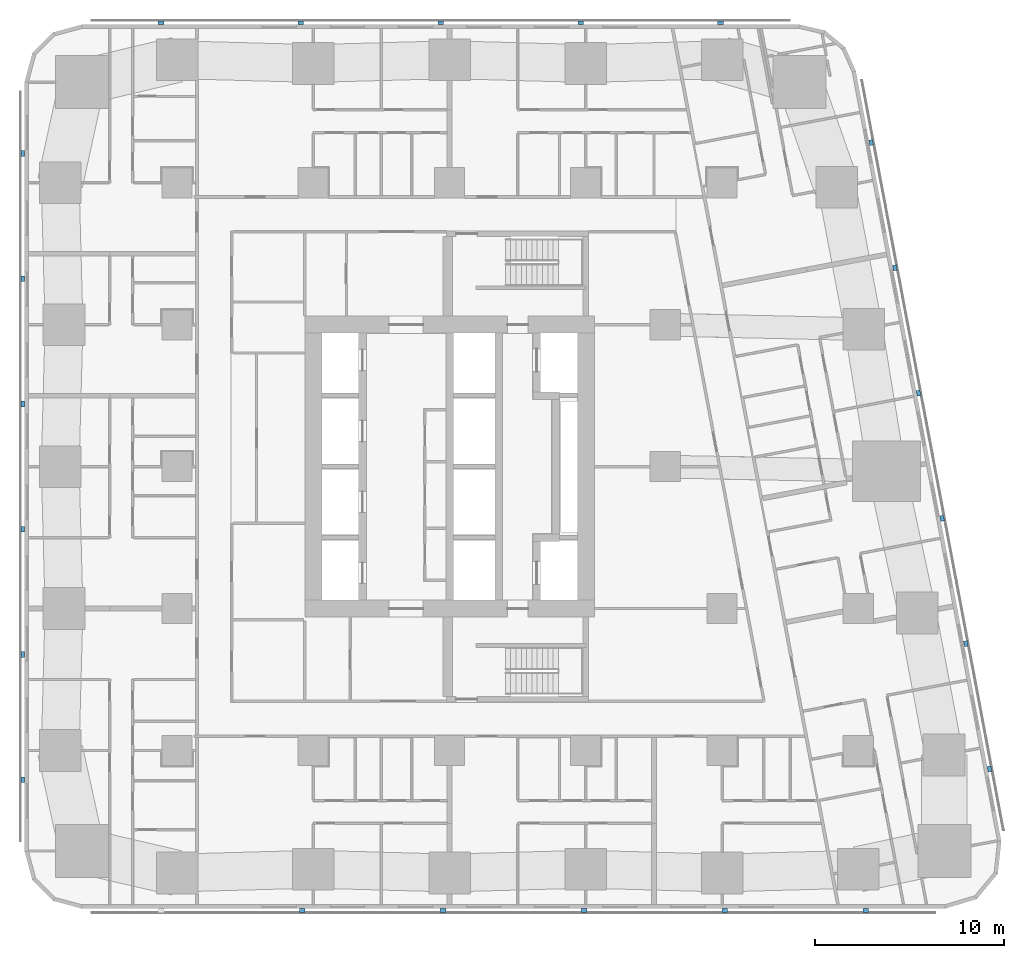
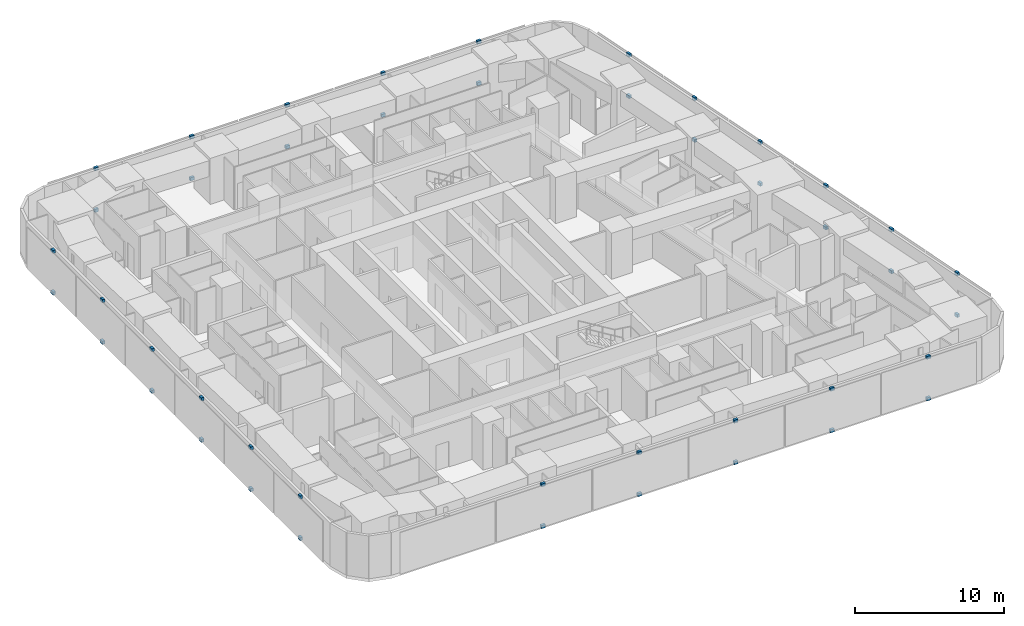
# One storey, part 11 of 15: 44 discrete accessories.
"""IFC4 building model written with IfcOpenShell, lengths in metres."""

from ifc_helpers import new_model, si_unit, direction, frame, origin, origin_2d, place, context, subcontext, project, spatial, rectangle, extrude, material, type_object, element, save


model = new_model("IFC4")

# Units and contexts
model_context = context("Model", 3, precision=1e-05, world=origin(), true_north=direction((0.0, 1.0)))
body_context = subcontext(model_context, "Body", "Model", "MODEL_VIEW")
ifc_project = project(units=[si_unit("LENGTHUNIT", "METRE"), si_unit("AREAUNIT", "SQUARE_METRE"), si_unit("VOLUMEUNIT", "CUBIC_METRE"), si_unit("PLANEANGLEUNIT", "RADIAN"), si_unit("MASSUNIT", "GRAM", prefix="KILO")], contexts=[model_context])

# Site, building, storey
site_placement = place(None, origin())
site = spatial("IfcSite", under=ifc_project, at=site_placement, CompositionType="ELEMENT")
building_placement = place(site_placement, origin())
building = spatial("IfcBuilding", under=site, at=building_placement, Name="Sheger Commons Tower", CompositionType="ELEMENT")
storey_placement = place(building_placement, frame((0.0, 0.0, 104.14990234375)))
storey = spatial("IfcBuildingStorey", under=building, at=storey_placement, Name="L26", CompositionType="ELEMENT", Elevation=104.14990234375)

# Discrete accessories
ifc_material = material(Name="Black painted steel bracket", Category="steel")
discrete_accessory_type = type_object("IfcDiscreteAccessoryType", Name="SCREEN BRACKET 300x200x250", PredefinedType="BRACKET", material=ifc_material)
for number, where, z_axis, x_axis, name in (
    (1, (13.81396484375, -0.949951171875, -0.099853515625), (0.0, 0.0, 1.0), (1.0, 0.0, 0.0), "Solar screen foot bracket"),
    (2, (13.81396484375, -0.949951171875, 3.300048828125), (0.0, 0.0, 1.0), (1.0, 0.0, 0.0), "Solar screen head bracket"),
    (3, (21.257080078125, -0.949951171875, -0.099853515625), (0.0, 0.0, 1.0), (1.0, 0.0, 0.0), "Solar screen foot bracket"),
    (4, (21.257080078125, -0.949951171875, 3.300048828125), (0.0, 0.0, 1.0), (1.0, 0.0, 0.0), "Solar screen head bracket"),
    (5, (28.698974609375, -0.949951171875, -0.099853515625), (0.0, 0.0, 1.0), (1.0, 0.0, 0.0), "Solar screen foot bracket"),
    (6, (28.698974609375, -0.949951171875, 3.300048828125), (0.0, 0.0, 1.0), (1.0, 0.0, 0.0), "Solar screen head bracket"),
    (7, (36.14208984375, -0.949951171875, -0.099853515625), (0.0, 0.0, 1.0), (1.0, 0.0, 0.0), "Solar screen foot bracket"),
    (8, (36.14208984375, -0.949951171875, 3.300048828125), (0.0, 0.0, 1.0), (1.0, 0.0, 0.0), "Solar screen head bracket"),
    (9, (43.5849609375, -0.949951171875, -0.099853515625), (0.0, 0.0, 1.0), (1.0, 0.0, 0.0), "Solar screen foot bracket"),
    (10, (43.5849609375, -0.949951171875, 3.300048828125), (0.0, 0.0, 1.0), (1.0, 0.0, 0.0), "Solar screen head bracket"),
    (11, (50.134033203125, 6.527099609375, -0.099853515625), (0.0, 0.0, 1.0), (-0.185615165645, 0.982622516678, 0.0), "Solar screen foot bracket"),
    (12, (50.134033203125, 6.527099609375, 3.300048828125), (0.0, 0.0, 1.0), (-0.185615165645, 0.982622516678, 0.0), "Solar screen head bracket"),
    (13, (48.884033203125, 13.14599609375, -0.099853515625), (0.0, 0.0, 1.0), (-0.185615165645, 0.982622516678, 0.0), "Solar screen foot bracket"),
    (14, (48.884033203125, 13.14599609375, 3.300048828125), (0.0, 0.0, 1.0), (-0.185615165645, 0.982622516678, 0.0), "Solar screen head bracket"),
    (15, (47.633056640625, 19.76611328125, -0.099853515625), (0.0, 0.0, 1.0), (-0.185615165645, 0.982622516678, 0.0), "Solar screen foot bracket"),
    (16, (47.633056640625, 19.76611328125, 3.300048828125), (0.0, 0.0, 1.0), (-0.185615165645, 0.982622516678, 0.0), "Solar screen head bracket"),
    (17, (46.383056640625, 26.385009765625, -0.099853515625), (0.0, 0.0, 1.0), (-0.185615165645, 0.982622516678, 0.0), "Solar screen foot bracket"),
    (18, (46.383056640625, 26.385009765625, 3.300048828125), (0.0, 0.0, 1.0), (-0.185615165645, 0.982622516678, 0.0), "Solar screen head bracket"),
    (19, (45.133056640625, 33.0048828125, -0.099853515625), (0.0, 0.0, 1.0), (-0.185615165645, 0.982622516678, 0.0), "Solar screen foot bracket"),
    (20, (45.133056640625, 33.0048828125, 3.300048828125), (0.0, 0.0, 1.0), (-0.185615165645, 0.982622516678, 0.0), "Solar screen head bracket"),
    (21, (43.882080078125, 39.6240234375, -0.099853515625), (0.0, 0.0, 1.0), (-0.185615165645, 0.982622516678, 0.0), "Solar screen foot bracket"),
    (22, (43.882080078125, 39.6240234375, 3.300048828125), (0.0, 0.0, 1.0), (-0.185615165645, 0.982622516678, 0.0), "Solar screen head bracket"),
    (23, (35.9208984375, 45.949951171875, -0.099853515625), (0.0, 0.0, 1.0), (-1.0, 0.0, 0.0), "Solar screen foot bracket"),
    (24, (35.9208984375, 45.949951171875, 3.300048828125), (0.0, 0.0, 1.0), (-1.0, 0.0, 0.0), "Solar screen head bracket"),
    (25, (28.528076171875, 45.949951171875, -0.099853515625), (0.0, 0.0, 1.0), (-1.0, 0.0, 0.0), "Solar screen foot bracket"),
    (26, (28.528076171875, 45.949951171875, 3.300048828125), (0.0, 0.0, 1.0), (-1.0, 0.0, 0.0), "Solar screen head bracket"),
    (27, (21.134033203125, 45.949951171875, -0.099853515625), (0.0, 0.0, 1.0), (-1.0, 0.0, 0.0), "Solar screen foot bracket"),
    (28, (21.134033203125, 45.949951171875, 3.300048828125), (0.0, 0.0, 1.0), (-1.0, 0.0, 0.0), "Solar screen head bracket"),
    (29, (13.739990234375, 45.949951171875, -0.099853515625), (0.0, 0.0, 1.0), (-1.0, 0.0, 0.0), "Solar screen foot bracket"),
    (30, (13.739990234375, 45.949951171875, 3.300048828125), (0.0, 0.0, 1.0), (-1.0, 0.0, 0.0), "Solar screen head bracket"),
    (31, (6.346923828125, 45.949951171875, -0.099853515625), (0.0, 0.0, 1.0), (-1.0, 0.0, 0.0), "Solar screen foot bracket"),
    (32, (6.346923828125, 45.949951171875, 3.300048828125), (0.0, 0.0, 1.0), (-1.0, 0.0, 0.0), "Solar screen head bracket"),
    (33, (-0.949951171875, 39.0419921875, -0.099853515625), (0.0, 0.0, 1.0), (0.0, -1.0, 0.0), "Solar screen foot bracket"),
    (34, (-0.949951171875, 39.0419921875, 3.300048828125), (0.0, 0.0, 1.0), (0.0, -1.0, 0.0), "Solar screen head bracket"),
    (35, (-0.949951171875, 32.425048828125, -0.099853515625), (0.0, 0.0, 1.0), (0.0, -1.0, 0.0), "Solar screen foot bracket"),
    (36, (-0.949951171875, 32.425048828125, 3.300048828125), (0.0, 0.0, 1.0), (0.0, -1.0, 0.0), "Solar screen head bracket"),
    (37, (-0.949951171875, 25.80810546875, -0.099853515625), (0.0, 0.0, 1.0), (0.0, -1.0, 0.0), "Solar screen foot bracket"),
    (38, (-0.949951171875, 25.80810546875, 3.300048828125), (0.0, 0.0, 1.0), (0.0, -1.0, 0.0), "Solar screen head bracket"),
    (39, (-0.949951171875, 19.19189453125, -0.099853515625), (0.0, 0.0, 1.0), (0.0, -1.0, 0.0), "Solar screen foot bracket"),
    (40, (-0.949951171875, 19.19189453125, 3.300048828125), (0.0, 0.0, 1.0), (0.0, -1.0, 0.0), "Solar screen head bracket"),
    (41, (-0.949951171875, 12.574951171875, -0.099853515625), (0.0, 0.0, 1.0), (0.0, -1.0, 0.0), "Solar screen foot bracket"),
    (42, (-0.949951171875, 12.574951171875, 3.300048828125), (0.0, 0.0, 1.0), (0.0, -1.0, 0.0), "Solar screen head bracket"),
    (43, (-0.949951171875, 5.9580078125, -0.099853515625), (0.0, 0.0, 1.0), (0.0, -1.0, 0.0), "Solar screen foot bracket"),
    (44, (-0.949951171875, 5.9580078125, 3.300048828125), (0.0, 0.0, 1.0), (0.0, -1.0, 0.0), "Solar screen head bracket"),
):
    element("IfcDiscreteAccessory", number, at=place(storey_placement, frame(where, z_axis=z_axis, x_axis=x_axis)), inside=storey, type_object=discrete_accessory_type, Name=name, PredefinedType="BRACKET", context=body_context, shape_type="SweptSolid", body=[
        extrude(rectangle(XDim=0.300048828125, YDim=0.199951171875, at=origin_2d()), origin(), (0.0, 0.0, 1.0), 0.25),
    ])

save(model, "model.ifc")
